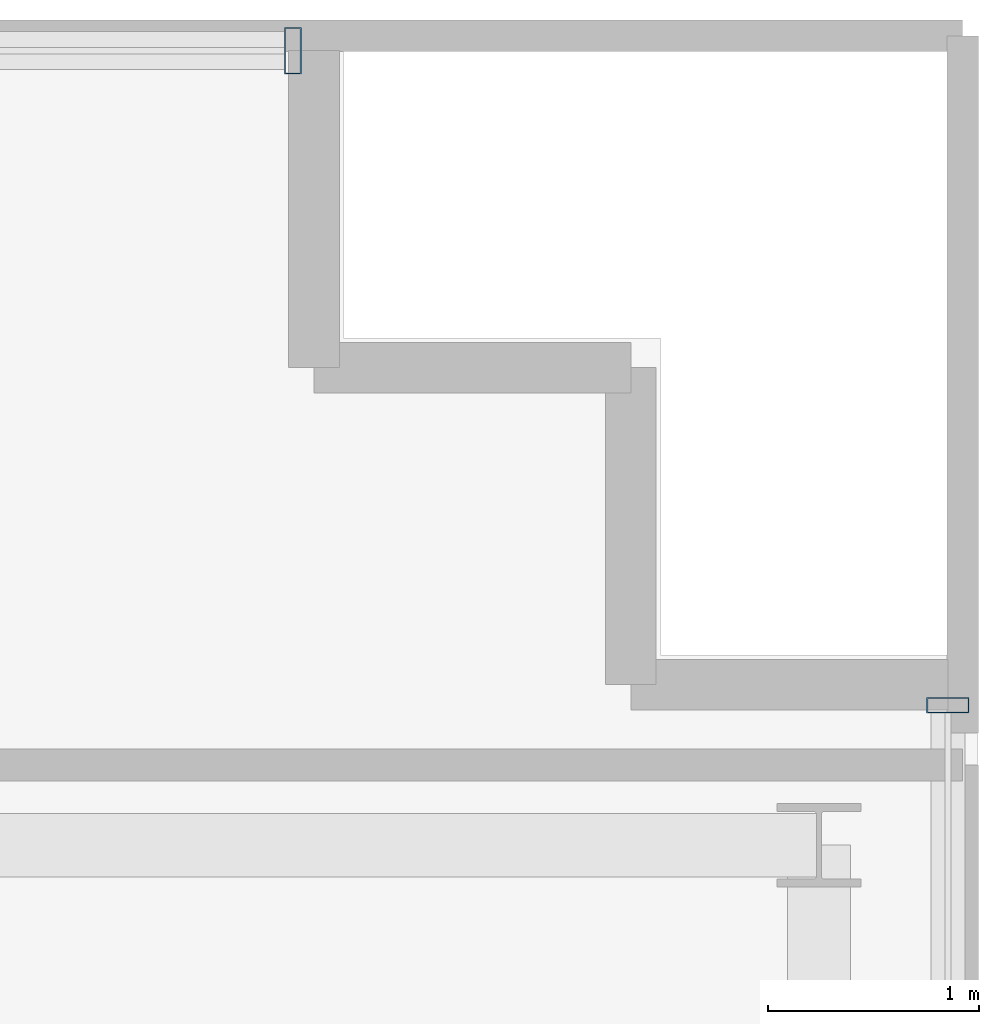
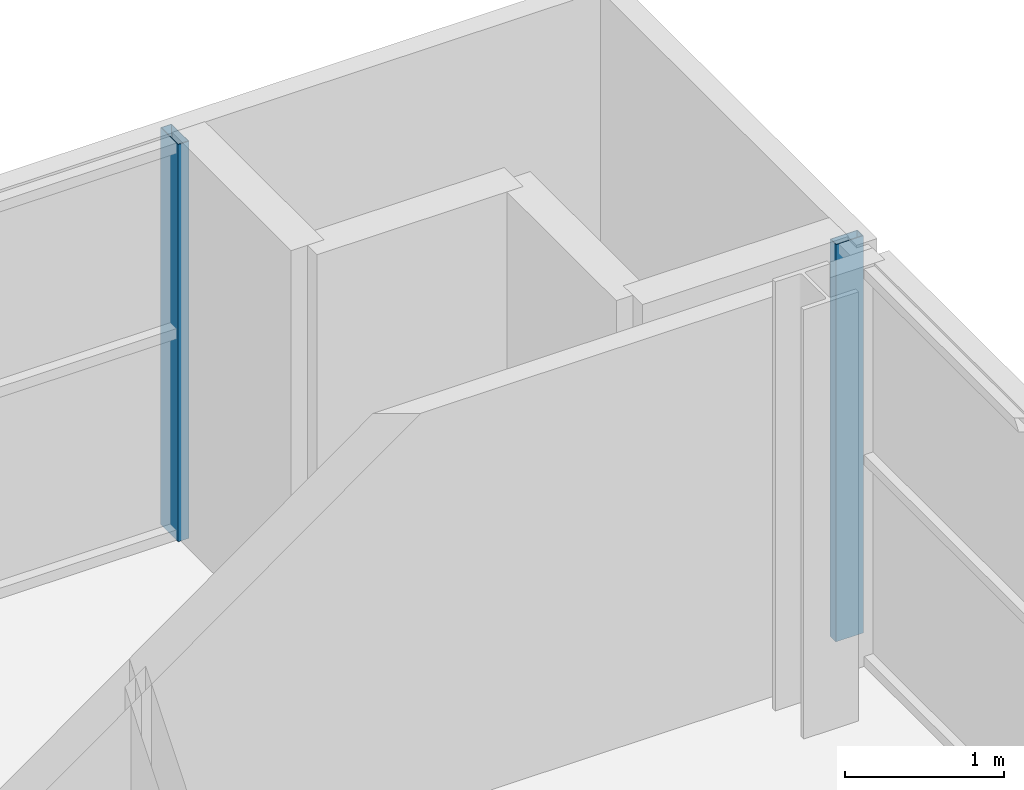
# One storey, part 13 of 22: 2 members, 2 elements without a shape of their own.
"""IFC4 building model written with IfcOpenShell, lengths in metres."""

from ifc_helpers import new_model, si_unit, direction, frame, origin, origin_2d, place, context, subcontext, project, spatial, hollow_rectangle, extrude, source, transform, mapped, material, layer, layer_set, material_profile, profile_set, type_object, element, aggregate, save


model = new_model("IFC4")

# Units and contexts
model_context = context("Model", 3, precision=1e-05, world=origin(), true_north=direction((0.0, 1.0)))
body_context = subcontext(model_context, "Body", "Model", "MODEL_VIEW")
ifc_project = project(units=[si_unit("LENGTHUNIT", "METRE"), si_unit("AREAUNIT", "SQUARE_METRE"), si_unit("VOLUMEUNIT", "CUBIC_METRE"), si_unit("PLANEANGLEUNIT", "RADIAN"), si_unit("MASSUNIT", "GRAM", prefix="KILO")], contexts=[model_context])

# Site, building, storey
site_placement = place(None, origin())
site = spatial("IfcSite", under=ifc_project, at=site_placement, CompositionType="ELEMENT")
building_placement = place(site_placement, origin())
building = spatial("IfcBuilding", under=site, at=building_placement, Name="Zarnakvel Exchange Tower", CompositionType="ELEMENT")
storey_placement = place(building_placement, frame((0.0, 0.0, 192.39990234375)))
storey = spatial("IfcBuildingStorey", under=building, at=storey_placement, Name="L54", CompositionType="ELEMENT", Elevation=192.39990234375)

# Curtain wall, member
ifc_material = material(Name="Architectural Bronze Anodised Aluminium", Category="aluminium")
ifc_layer_1 = layer(ifc_material, 0.199951171875)
ifc_layer_set_1 = layer_set([ifc_layer_1], Name="Architectural Bronze Anodised Aluminium")
curtain_wall_type_1 = type_object("IfcCurtainWallType", Name="CW-04", PredefinedType="NOTDEFINED", material=ifc_layer_set_1)
curtain_wall_1_placement = place(storey_placement, origin())
curtain_wall_1 = element("IfcCurtainWall", 1, at=curtain_wall_1_placement, inside=storey, type_object=curtain_wall_type_1, Name="L54 Curtain Wall CW-L54-E1 (CW-04)", PredefinedType="NOTDEFINED")
ifc_material_profile_1 = material_profile(ifc_material, hollow_rectangle(XDim=0.199951171875, YDim=0.074951171875, WallThickness=0.0048828125, at=origin_2d()))
ifc_profile_set_1 = profile_set([ifc_material_profile_1], Name="Architectural Bronze Anodised Aluminium")
member_type_1 = type_object("IfcMemberType", Name="CWM-04", PredefinedType="MULLION", material=ifc_profile_set_1)
shared_shape_1 = source(origin(), body_context, "Body", "SweptSolid", [
    extrude(hollow_rectangle(XDim=0.199951171875, YDim=0.074951171875, WallThickness=0.0048828125, at=origin_2d()), origin(), (0.0, 0.0, 1.0), 3.05517578125),
])
member_1_placement = place(storey_placement, frame((26.4599609375, 14.16259765625, 0.0), z_axis=(0.0, 0.0, 1.0), x_axis=(-1.0, 0.0, 0.0)))
member_1 = element("IfcMember", 2, at=member_1_placement, type_object=member_type_1, Name="CW-04 mullion 5", PredefinedType="MULLION", context=body_context, shape_type="MappedRepresentation", body=[
    mapped(shared_shape_1, transform((0.0, 0.0, 0.0), x_axis=(1.0, 0.0, 0.0), y_axis=(0.0, 1.0, 0.0), z_axis=(0.0, 0.0, 1.0), scale=1.0)),
])
aggregate(curtain_wall_1, [member_1])

ifc_layer_2 = layer(ifc_material, 0.219970703125)
ifc_layer_set_2 = layer_set([ifc_layer_2], Name="Architectural Bronze Anodised Aluminium")
curtain_wall_type_2 = type_object("IfcCurtainWallType", Name="CW-03", PredefinedType="NOTDEFINED", material=ifc_layer_set_2)
curtain_wall_2_placement = place(storey_placement, origin())
curtain_wall_2 = element("IfcCurtainWall", 3, at=curtain_wall_2_placement, inside=storey, type_object=curtain_wall_type_2, Name="L54 Curtain Wall CW-L54-N1 (CW-03)", PredefinedType="NOTDEFINED")
ifc_material_profile_2 = material_profile(ifc_material, hollow_rectangle(XDim=0.219970703125, YDim=0.080078125, WallThickness=0.0048828125, at=origin_2d()))
ifc_profile_set_2 = profile_set([ifc_material_profile_2], Name="Architectural Bronze Anodised Aluminium")
member_type_2 = type_object("IfcMemberType", Name="CWM-03", PredefinedType="MULLION", material=ifc_profile_set_2)
shared_shape_2 = source(origin(), body_context, "Body", "SweptSolid", [
    extrude(hollow_rectangle(XDim=0.219970703125, YDim=0.080078125, WallThickness=0.0048828125, at=origin_2d()), origin(), (0.0, 0.0, 1.0), 3.05517578125),
])
member_2_placement = place(storey_placement, frame((23.360107421875, 17.260009765625, 0.0), z_axis=(0.0, 0.0, 1.0), x_axis=(0.0, 1.0, 0.0)))
member_2 = element("IfcMember", 4, at=member_2_placement, type_object=member_type_2, Name="CW-03 mullion 7", PredefinedType="MULLION", context=body_context, shape_type="MappedRepresentation", body=[
    mapped(shared_shape_2, transform((0.0, 0.0, 0.0), x_axis=(1.0, 0.0, 0.0), y_axis=(0.0, 1.0, 0.0), z_axis=(0.0, 0.0, 1.0), scale=1.0)),
])
aggregate(curtain_wall_2, [member_2])

save(model, "model.ifc")
